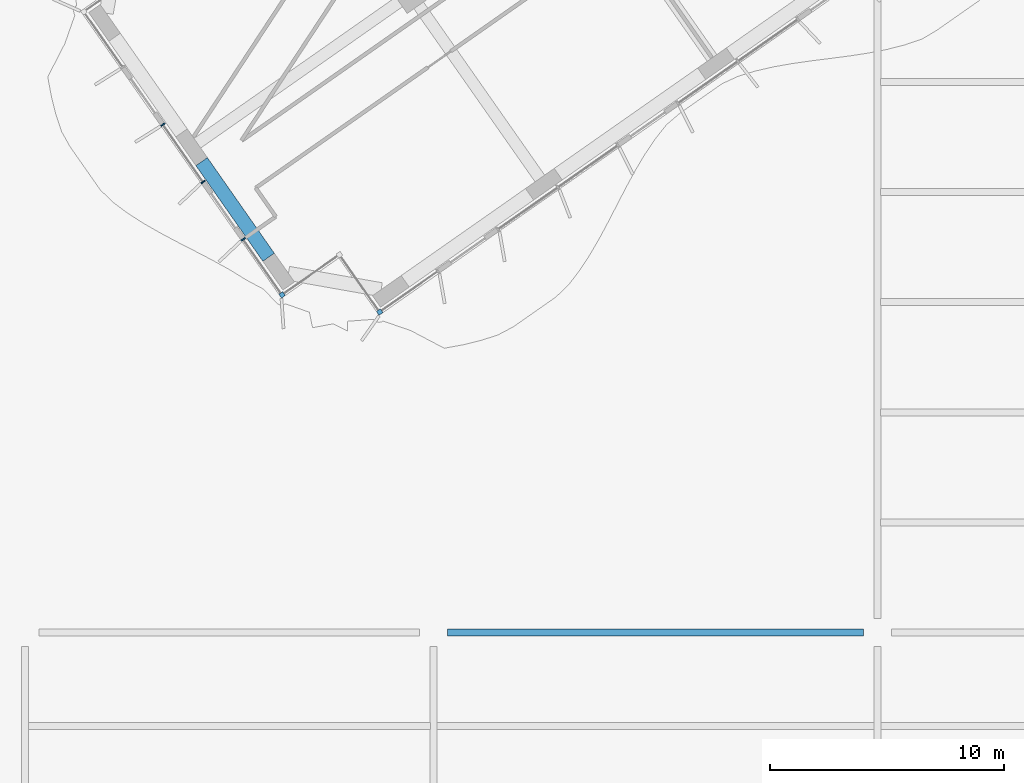
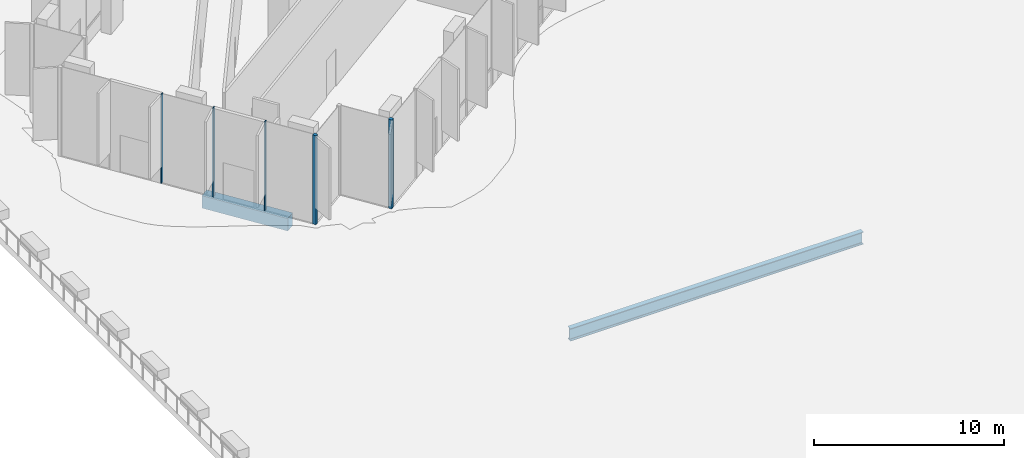
# One storey, part 2 of 27: 5 members, 2 beams, 4 elements without a shape of their own.
"""IFC4 building model written with IfcOpenShell, lengths in metres."""

from ifc_helpers import new_model, si_unit, direction, frame, origin, origin_2d, place, context, subcontext, project, spatial, rectangle, i_section, extrude, material, material_profile, profile_set, type_object, element, aggregate, save


model = new_model("IFC4")

# Units and contexts
model_context = context("Model", 3, precision=1e-05, world=origin(), true_north=direction((0.0, 1.0)))
body_context = subcontext(model_context, "Body", "Model", "MODEL_VIEW")
ifc_project = project(units=[si_unit("LENGTHUNIT", "METRE"), si_unit("AREAUNIT", "SQUARE_METRE"), si_unit("VOLUMEUNIT", "CUBIC_METRE"), si_unit("PLANEANGLEUNIT", "RADIAN"), si_unit("MASSUNIT", "GRAM", prefix="KILO")], contexts=[model_context])

# Site, building, storey
site_placement = place(None, origin())
site = spatial("IfcSite", under=ifc_project, at=site_placement, CompositionType="ELEMENT")
building_placement = place(site_placement, origin())
building = spatial("IfcBuilding", under=site, at=building_placement, Name="Tel Ilan Convention Tower", CompositionType="ELEMENT")
storey_placement = place(building_placement, frame((0.0, 0.0, 48.5)))
storey = spatial("IfcBuildingStorey", under=building, at=storey_placement, Name="L07", CompositionType="ELEMENT", Elevation=48.5)

# Beam
ifc_material_1 = material(Name="Concrete C40/50", Category="concrete")
ifc_material_profile_1 = material_profile(ifc_material_1, rectangle(XDim=0.60009765625, YDim=0.800048828125, at=origin_2d()), Name="RC 600x800")
ifc_profile_set_1 = profile_set([ifc_material_profile_1], Name="Concrete C40/50")
beam_type_1 = type_object("IfcBeamType", Name="Beam RC 600x800 Concrete C40/50", PredefinedType="BEAM", material=ifc_profile_set_1)
beam_1_placement = place(storey_placement, frame((-35.57080078125, -31.92626953125, -0.679931640625), z_axis=(-0.573586866468, 0.819144740944, 0.0), x_axis=(-0.819144740944, -0.573586866468, 0.0)))
element("IfcBeam", 1, at=beam_1_placement, inside=storey, type_object=beam_type_1, Name="L07 beam W-W-E1-W-E2", PredefinedType="BEAM", context=body_context, shape_type="SweptSolid", body=[
    extrude(rectangle(XDim=0.60009765625, YDim=0.800048828125, at=origin_2d()), origin(), (0.0, 0.0, 1.0), 5.0),
])

# Curtain wall, members
ifc_material_2 = material(Name="Aluminium, bronze anodised", Category="aluminium")
curtain_wall_type = type_object("IfcCurtainWallType", Name="CW1 UNITISED CURTAIN WALL, HOTEL TINTED GLASS", PredefinedType="NOTDEFINED", material=ifc_material_2)
curtain_wall_1_placement = place(storey_placement, origin())
curtain_wall_1 = element("IfcCurtainWall", 2, at=curtain_wall_1_placement, inside=storey, type_object=curtain_wall_type, Name="Curtain wall CW1-10.32", PredefinedType="NOTDEFINED")
ifc_material_3 = material(Name="Aluminium, bronze anodised", Category="aluminium")
ifc_material_profile_2 = material_profile(ifc_material_3, rectangle(XDim=0.199951171875, YDim=0.199951171875, at=origin_2d()), Name="CW CORNER MULLION 200x200")
ifc_profile_set_2 = profile_set([ifc_material_profile_2], Name="Aluminium, bronze anodised")
member_type_1 = type_object("IfcMemberType", Name="CW CORNER MULLION 200x200", PredefinedType="MULLION", material=ifc_profile_set_2)
member_1_placement = place(storey_placement, frame((-34.992919921875, -33.5361328125, 0.0), z_axis=(0.0, 0.0, 1.0), x_axis=(0.573576436351, -0.819152044289, 0.0)))
member_1 = element("IfcMember", 3, at=member_1_placement, type_object=member_type_1, Name="Corner mullion", PredefinedType="MULLION", context=body_context, shape_type="SweptSolid", body=[
    extrude(rectangle(XDim=0.199951171875, YDim=0.199951171875, at=origin_2d()), origin(), (0.0, 0.0, 1.0), 5.719970703125),
])
member_2_placement = place(storey_placement, frame((-30.814697265625, -34.272705078125, 0.0), z_axis=(0.0, 0.0, 1.0), x_axis=(0.573576436351, -0.819152044289, 0.0)))
member_2 = element("IfcMember", 4, at=member_2_placement, type_object=member_type_1, Name="Corner mullion", PredefinedType="MULLION", context=body_context, shape_type="SweptSolid", body=[
    extrude(rectangle(XDim=0.199951171875, YDim=0.199951171875, at=origin_2d()), origin(), (0.0, 0.0, 1.0), 5.719970703125),
])
aggregate(curtain_wall_1, [member_1, member_2])

# Curtain wall, member
curtain_wall_2_placement = place(storey_placement, origin())
curtain_wall_2 = element("IfcCurtainWall", 5, at=curtain_wall_2_placement, inside=storey, type_object=curtain_wall_type, Name="Curtain wall CW1-10.29", PredefinedType="NOTDEFINED")
ifc_material_4 = material(Name="Aluminium, bronze anodised", Category="aluminium")
ifc_material_profile_3 = material_profile(ifc_material_4, rectangle(XDim=0.06005859375, YDim=0.199951171875, at=origin_2d()), Name="CW MULLION 60x200")
ifc_profile_set_3 = profile_set([ifc_material_profile_3], Name="Aluminium, bronze anodised")
member_type_2 = type_object("IfcMemberType", Name="CW MULLION 60x200", PredefinedType="MULLION", material=ifc_profile_set_3)
member_3_placement = place(storey_placement, frame((-40.09765625, -26.24560546875, 0.0), z_axis=(0.0, 0.0, 1.0), x_axis=(0.573576436351, -0.819152044289, 0.0)))
member_3 = element("IfcMember", 6, at=member_3_placement, type_object=member_type_2, Name="Mullion", PredefinedType="MULLION", context=body_context, shape_type="SweptSolid", body=[
    extrude(rectangle(XDim=0.06005859375, YDim=0.199951171875, at=origin_2d()), origin(), (0.0, 0.0, 1.0), 5.719970703125),
])
aggregate(curtain_wall_2, [member_3])

curtain_wall_3_placement = place(storey_placement, origin())
curtain_wall_3 = element("IfcCurtainWall", 7, at=curtain_wall_3_placement, inside=storey, type_object=curtain_wall_type, Name="Curtain wall CW1-10.30", PredefinedType="NOTDEFINED")
member_4_placement = place(storey_placement, frame((-38.376953125, -28.703125, 0.0), z_axis=(0.0, 0.0, 1.0), x_axis=(0.573576436351, -0.819152044289, 0.0)))
member_4 = element("IfcMember", 8, at=member_4_placement, type_object=member_type_2, Name="Mullion", PredefinedType="MULLION", context=body_context, shape_type="SweptSolid", body=[
    extrude(rectangle(XDim=0.06005859375, YDim=0.199951171875, at=origin_2d()), origin(), (0.0, 0.0, 1.0), 5.719970703125),
])
aggregate(curtain_wall_3, [member_4])

curtain_wall_4_placement = place(storey_placement, origin())
curtain_wall_4 = element("IfcCurtainWall", 9, at=curtain_wall_4_placement, inside=storey, type_object=curtain_wall_type, Name="Curtain wall CW1-10.31", PredefinedType="NOTDEFINED")
member_5_placement = place(storey_placement, frame((-36.65625, -31.160400390625, 0.0), z_axis=(0.0, 0.0, 1.0), x_axis=(0.573576436351, -0.819152044289, 0.0)))
member_5 = element("IfcMember", 10, at=member_5_placement, type_object=member_type_2, Name="Mullion", PredefinedType="MULLION", context=body_context, shape_type="SweptSolid", body=[
    extrude(rectangle(XDim=0.06005859375, YDim=0.199951171875, at=origin_2d()), origin(), (0.0, 0.0, 1.0), 5.719970703125),
])
aggregate(curtain_wall_4, [member_5])

# Beam
ifc_material_5 = material(Name="Steel S355", Category="steel")
ifc_material_profile_4 = material_profile(ifc_material_5, i_section(OverallWidth=0.300048828125, OverallDepth=0.800048828125, WebThickness=0.017578125, FlangeThickness=0.032958984375, FilletRadius=0.030029296875, at=origin_2d()), Name="HEB 800")
ifc_profile_set_4 = profile_set([ifc_material_profile_4], Name="Steel S355")
beam_type_2 = type_object("IfcBeamType", Name="Girder HEB 800 Steel S355", PredefinedType="BEAM", material=ifc_profile_set_4)
beam_2_placement = place(storey_placement, frame((-27.89990234375, -48.0, -0.800048828125), z_axis=(1.0, 0.0, 0.0), x_axis=(0.0, 1.0, 0.0)))
element("IfcBeam", 11, at=beam_2_placement, inside=storey, type_object=beam_type_2, Name="L07 beam GX32-3", PredefinedType="BEAM", context=body_context, shape_type="SweptSolid", body=[
    extrude(i_section(OverallWidth=0.300048828125, OverallDepth=0.800048828125, WebThickness=0.017578125, FlangeThickness=0.032958984375, FilletRadius=0.030029296875, at=origin_2d()), origin(), (0.0, 0.0, 1.0), 17.7998046875),
])

save(model, "model.ifc")
